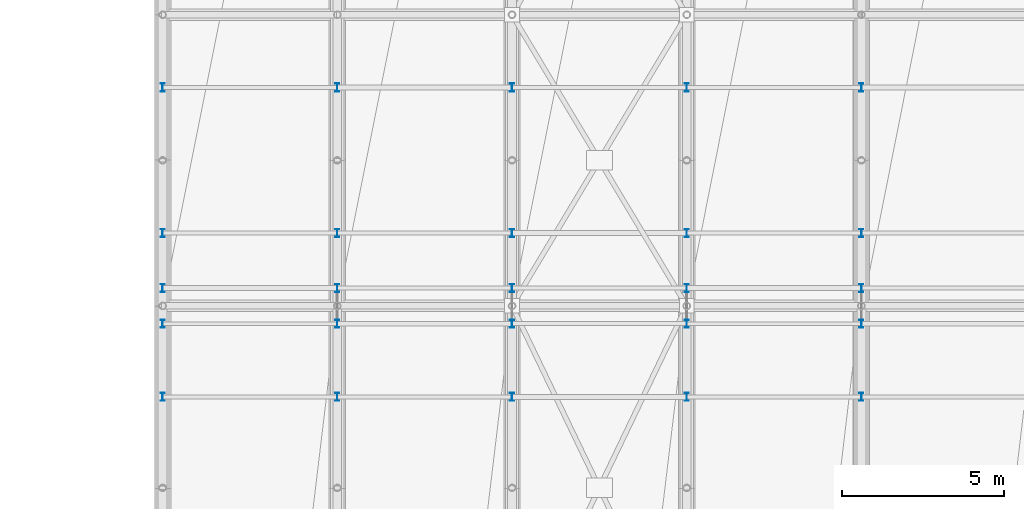
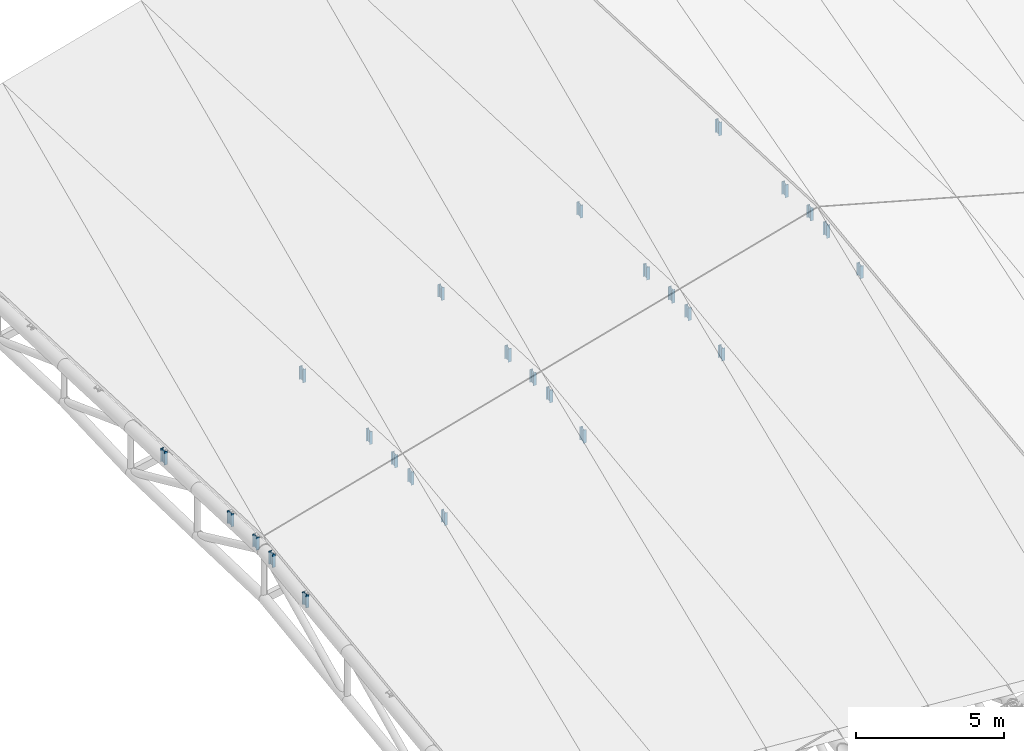
# One storey, part 64 of 109: 25 members.
"""IFC4 building model written with IfcOpenShell, lengths in metres."""

from ifc_helpers import new_model, si_unit, direction, frame, origin, origin_2d, place, context, subcontext, project, spatial, i_section, extrude, material, material_profile, profile_set, type_object, element, save


model = new_model("IFC4")

# Units and contexts
model_context = context("Model", 3, precision=1e-05, world=origin(), true_north=direction((0.0, 1.0)))
body_context = subcontext(model_context, "Body", "Model", "MODEL_VIEW")
ifc_project = project(units=[si_unit("LENGTHUNIT", "METRE"), si_unit("AREAUNIT", "SQUARE_METRE"), si_unit("VOLUMEUNIT", "CUBIC_METRE"), si_unit("PLANEANGLEUNIT", "RADIAN"), si_unit("MASSUNIT", "GRAM", prefix="KILO")], contexts=[model_context])

# Site, building, storey
site_placement = place(None, origin())
site = spatial("IfcSite", under=ifc_project, at=site_placement, CompositionType="ELEMENT")
building_placement = place(site_placement, origin())
building = spatial("IfcBuilding", under=site, at=building_placement, Name="Suirenkawa Promenade Aquatics Centre", CompositionType="ELEMENT")
storey_placement = place(building_placement, frame((0.0, 0.0, 22.800048828125)))
storey = spatial("IfcBuildingStorey", under=building, at=storey_placement, Name="ROOF", CompositionType="ELEMENT", Elevation=22.800048828125)

# Members
ifc_material = material(Name="Steel IS 2062 E350 (Grade 350)", Category="steel")
ifc_material_profile = material_profile(ifc_material, i_section(OverallWidth=0.125, OverallDepth=0.25, WebThickness=0.007080078125, FlangeThickness=0.012939453125, at=origin_2d()), Name="ISMB 250", Category="steel")
ifc_profile_set = profile_set([ifc_material_profile], Name="Steel IS 2062 E350 (Grade 350)")
member_type = type_object("IfcMemberType", Name="MT-WEB-CHS168", PredefinedType="BRACE", material=ifc_profile_set)
for number, where, z_axis, x_axis, name in (
    (1, (46.800048828125, 92.587890625, -9.781982421875), (0.0, 0.0, 1.0), (1.0, 0.0, 0.0), "ROOF TRUSS Purlin cleat post TD-03 MB-1694"),
    (2, (52.199951171875, 92.587890625, -8.281982421875), (0.0, 0.0, 1.0), (1.0, 0.0, 0.0), "ROOF TRUSS Purlin cleat post TD-03 MB-1695"),
):
    element("IfcMember", number, at=place(storey_placement, frame(where, z_axis=z_axis, x_axis=x_axis)), inside=storey, type_object=member_type, Name=name, PredefinedType="BRACE", context=body_context, shape_type="SweptSolid", body=[
        extrude(i_section(OverallWidth=0.125, OverallDepth=0.25, WebThickness=0.007080078125, FlangeThickness=0.012939453125, at=origin_2d()), origin(), (0.0, 0.0, 1.0), 0.52099609375),
    ])
for number, where, z_axis, x_axis, name in (
    (3, (46.800048828125, 94.85009765625, -9.490966796875), (0.0, 0.0, 1.0), (1.0, 0.0, 0.0), "ROOF TRUSS Purlin cleat post TD-03 MB-1697"),
    (4, (52.199951171875, 94.85009765625, -7.990966796875), (0.0, 0.0, 1.0), (1.0, 0.0, 0.0), "ROOF TRUSS Purlin cleat post TD-03 MB-1698"),
):
    element("IfcMember", number, at=place(storey_placement, frame(where, z_axis=z_axis, x_axis=x_axis)), inside=storey, type_object=member_type, Name=name, PredefinedType="BRACE", context=body_context, shape_type="SweptSolid", body=[
        extrude(i_section(OverallWidth=0.125, OverallDepth=0.25, WebThickness=0.007080078125, FlangeThickness=0.012939453125, at=origin_2d()), origin(), (0.0, 0.0, 1.0), 0.5458984375),
    ])
for number, where, z_axis, x_axis, name in (
    (5, (46.800048828125, 95.949951171875, -9.442138671875), (0.0, 0.0, 1.0), (1.0, 0.0, 0.0), "ROOF TRUSS Purlin cleat post TD-03 MB-1700"),
    (6, (52.199951171875, 95.949951171875, -7.942138671875), (0.0, 0.0, 1.0), (1.0, 0.0, 0.0), "ROOF TRUSS Purlin cleat post TD-03 MB-1701"),
):
    element("IfcMember", number, at=place(storey_placement, frame(where, z_axis=z_axis, x_axis=x_axis)), inside=storey, type_object=member_type, Name=name, PredefinedType="BRACE", context=body_context, shape_type="SweptSolid", body=[
        extrude(i_section(OverallWidth=0.125, OverallDepth=0.25, WebThickness=0.007080078125, FlangeThickness=0.012939453125, at=origin_2d()), origin(), (0.0, 0.0, 1.0), 0.527099609375),
    ])
for number, where, z_axis, x_axis, name in (
    (7, (46.800048828125, 97.64990234375, -9.511962890625), (0.0, 0.0, 1.0), (1.0, 0.0, 0.0), "ROOF TRUSS Purlin cleat post TD-03 MB-1703"),
    (8, (52.199951171875, 97.64990234375, -8.011962890625), (0.0, 0.0, 1.0), (1.0, 0.0, 0.0), "ROOF TRUSS Purlin cleat post TD-03 MB-1704"),
):
    element("IfcMember", number, at=place(storey_placement, frame(where, z_axis=z_axis, x_axis=x_axis)), inside=storey, type_object=member_type, Name=name, PredefinedType="BRACE", context=body_context, shape_type="SweptSolid", body=[
        extrude(i_section(OverallWidth=0.125, OverallDepth=0.25, WebThickness=0.007080078125, FlangeThickness=0.012939453125, at=origin_2d()), origin(), (0.0, 0.0, 1.0), 0.52880859375),
    ])
for number, where, z_axis, x_axis, name in (
    (9, (46.800048828125, 102.14990234375, -9.695068359375), (0.0, 0.0, 1.0), (1.0, 0.0, 0.0), "ROOF TRUSS Purlin cleat post TD-03 MB-1706"),
    (10, (52.199951171875, 102.14990234375, -8.195068359375), (0.0, 0.0, 1.0), (1.0, 0.0, 0.0), "ROOF TRUSS Purlin cleat post TD-03 MB-1707"),
):
    element("IfcMember", number, at=place(storey_placement, frame(where, z_axis=z_axis, x_axis=x_axis)), inside=storey, type_object=member_type, Name=name, PredefinedType="BRACE", context=body_context, shape_type="SweptSolid", body=[
        extrude(i_section(OverallWidth=0.125, OverallDepth=0.25, WebThickness=0.007080078125, FlangeThickness=0.012939453125, at=origin_2d()), origin(), (0.0, 0.0, 1.0), 0.552978515625),
    ])
member_1_placement = place(storey_placement, frame((57.60009765625, 92.587890625, -6.781982421875), z_axis=(0.0, 0.0, 1.0), x_axis=(1.0, 0.0, 0.0)))
element("IfcMember", 11, at=member_1_placement, inside=storey, type_object=member_type, Name="ROOF TRUSS Purlin cleat post TD-03 MB-1740", PredefinedType="BRACE", context=body_context, shape_type="SweptSolid", body=[
    extrude(i_section(OverallWidth=0.125, OverallDepth=0.25, WebThickness=0.007080078125, FlangeThickness=0.012939453125, at=origin_2d()), origin(), (0.0, 0.0, 1.0), 0.5458984375),
])
member_2_placement = place(storey_placement, frame((57.60009765625, 94.85009765625, -6.490966796875), z_axis=(0.0, 0.0, 1.0), x_axis=(1.0, 0.0, 0.0)))
element("IfcMember", 12, at=member_2_placement, inside=storey, type_object=member_type, Name="ROOF TRUSS Purlin cleat post TD-03 MB-1742", PredefinedType="BRACE", context=body_context, shape_type="SweptSolid", body=[
    extrude(i_section(OverallWidth=0.125, OverallDepth=0.25, WebThickness=0.007080078125, FlangeThickness=0.012939453125, at=origin_2d()), origin(), (0.0, 0.0, 1.0), 0.518798828125),
])
member_3_placement = place(storey_placement, frame((57.60009765625, 95.949951171875, -6.442138671875), z_axis=(0.0, 0.0, 1.0), x_axis=(1.0, 0.0, 0.0)))
element("IfcMember", 13, at=member_3_placement, inside=storey, type_object=member_type, Name="ROOF TRUSS Purlin cleat post TD-03 MB-1744", PredefinedType="BRACE", context=body_context, shape_type="SweptSolid", body=[
    extrude(i_section(OverallWidth=0.125, OverallDepth=0.25, WebThickness=0.007080078125, FlangeThickness=0.012939453125, at=origin_2d()), origin(), (0.0, 0.0, 1.0), 0.528076171875),
])
member_4_placement = place(storey_placement, frame((57.60009765625, 97.64990234375, -6.511962890625), z_axis=(0.0, 0.0, 1.0), x_axis=(1.0, 0.0, 0.0)))
element("IfcMember", 14, at=member_4_placement, inside=storey, type_object=member_type, Name="ROOF TRUSS Purlin cleat post TD-03 MB-1746", PredefinedType="BRACE", context=body_context, shape_type="SweptSolid", body=[
    extrude(i_section(OverallWidth=0.125, OverallDepth=0.25, WebThickness=0.007080078125, FlangeThickness=0.012939453125, at=origin_2d()), origin(), (0.0, 0.0, 1.0), 0.553955078125),
])
member_5_placement = place(storey_placement, frame((57.60009765625, 102.14990234375, -6.695068359375), z_axis=(0.0, 0.0, 1.0), x_axis=(1.0, 0.0, 0.0)))
element("IfcMember", 15, at=member_5_placement, inside=storey, type_object=member_type, Name="ROOF TRUSS Purlin cleat post TD-03 MB-1748", PredefinedType="BRACE", context=body_context, shape_type="SweptSolid", body=[
    extrude(i_section(OverallWidth=0.125, OverallDepth=0.25, WebThickness=0.007080078125, FlangeThickness=0.012939453125, at=origin_2d()), origin(), (0.0, 0.0, 1.0), 0.528076171875),
])
member_6_placement = place(storey_placement, frame((63.0, 92.587890625, -5.281982421875), z_axis=(0.0, 0.0, 1.0), x_axis=(1.0, 0.0, 0.0)))
element("IfcMember", 16, at=member_6_placement, inside=storey, type_object=member_type, Name="ROOF TRUSS Purlin cleat post TD-03 MB-1776", PredefinedType="BRACE", context=body_context, shape_type="SweptSolid", body=[
    extrude(i_section(OverallWidth=0.125, OverallDepth=0.25, WebThickness=0.007080078125, FlangeThickness=0.012939453125, at=origin_2d()), origin(), (0.0, 0.0, 1.0), 0.51904296875),
])
member_7_placement = place(storey_placement, frame((63.0, 94.85009765625, -4.990966796875), z_axis=(0.0, 0.0, 1.0), x_axis=(1.0, 0.0, 0.0)))
element("IfcMember", 17, at=member_7_placement, inside=storey, type_object=member_type, Name="ROOF TRUSS Purlin cleat post TD-03 MB-1778", PredefinedType="BRACE", context=body_context, shape_type="SweptSolid", body=[
    extrude(i_section(OverallWidth=0.125, OverallDepth=0.25, WebThickness=0.007080078125, FlangeThickness=0.012939453125, at=origin_2d()), origin(), (0.0, 0.0, 1.0), 0.52099609375),
])
member_8_placement = place(storey_placement, frame((63.0, 95.949951171875, -4.942138671875), z_axis=(0.0, 0.0, 1.0), x_axis=(1.0, 0.0, 0.0)))
element("IfcMember", 18, at=member_8_placement, inside=storey, type_object=member_type, Name="ROOF TRUSS Purlin cleat post TD-03 MB-1780", PredefinedType="BRACE", context=body_context, shape_type="SweptSolid", body=[
    extrude(i_section(OverallWidth=0.125, OverallDepth=0.25, WebThickness=0.007080078125, FlangeThickness=0.012939453125, at=origin_2d()), origin(), (0.0, 0.0, 1.0), 0.552978515625),
])
member_9_placement = place(storey_placement, frame((63.0, 97.64990234375, -5.011962890625), z_axis=(0.0, 0.0, 1.0), x_axis=(1.0, 0.0, 0.0)))
element("IfcMember", 19, at=member_9_placement, inside=storey, type_object=member_type, Name="ROOF TRUSS Purlin cleat post TD-03 MB-1782", PredefinedType="BRACE", context=body_context, shape_type="SweptSolid", body=[
    extrude(i_section(OverallWidth=0.125, OverallDepth=0.25, WebThickness=0.007080078125, FlangeThickness=0.012939453125, at=origin_2d()), origin(), (0.0, 0.0, 1.0), 0.52783203125),
])
member_10_placement = place(storey_placement, frame((63.0, 102.14990234375, -5.195068359375), z_axis=(0.0, 0.0, 1.0), x_axis=(1.0, 0.0, 0.0)))
element("IfcMember", 20, at=member_10_placement, inside=storey, type_object=member_type, Name="ROOF TRUSS Purlin cleat post TD-03 MB-1784", PredefinedType="BRACE", context=body_context, shape_type="SweptSolid", body=[
    extrude(i_section(OverallWidth=0.125, OverallDepth=0.25, WebThickness=0.007080078125, FlangeThickness=0.012939453125, at=origin_2d()), origin(), (0.0, 0.0, 1.0), 0.528076171875),
])
member_11_placement = place(storey_placement, frame((68.39990234375, 92.587890625, -3.781982421875), z_axis=(0.0, 0.0, 1.0), x_axis=(1.0, 0.0, 0.0)))
element("IfcMember", 21, at=member_11_placement, inside=storey, type_object=member_type, Name="ROOF TRUSS Purlin cleat post TD-03 MB-1812", PredefinedType="BRACE", context=body_context, shape_type="SweptSolid", body=[
    extrude(i_section(OverallWidth=0.125, OverallDepth=0.25, WebThickness=0.007080078125, FlangeThickness=0.012939453125, at=origin_2d()), origin(), (0.0, 0.0, 1.0), 0.52001953125),
])
member_12_placement = place(storey_placement, frame((68.39990234375, 94.85009765625, -3.490966796875), z_axis=(0.0, 0.0, 1.0), x_axis=(1.0, 0.0, 0.0)))
element("IfcMember", 22, at=member_12_placement, inside=storey, type_object=member_type, Name="ROOF TRUSS Purlin cleat post TD-03 MB-1814", PredefinedType="BRACE", context=body_context, shape_type="SweptSolid", body=[
    extrude(i_section(OverallWidth=0.125, OverallDepth=0.25, WebThickness=0.007080078125, FlangeThickness=0.012939453125, at=origin_2d()), origin(), (0.0, 0.0, 1.0), 0.5458984375),
])
member_13_placement = place(storey_placement, frame((68.39990234375, 95.949951171875, -3.442138671875), z_axis=(0.0, 0.0, 1.0), x_axis=(1.0, 0.0, 0.0)))
element("IfcMember", 23, at=member_13_placement, inside=storey, type_object=member_type, Name="ROOF TRUSS Purlin cleat post TD-03 MB-1816", PredefinedType="BRACE", context=body_context, shape_type="SweptSolid", body=[
    extrude(i_section(OverallWidth=0.125, OverallDepth=0.25, WebThickness=0.007080078125, FlangeThickness=0.012939453125, at=origin_2d()), origin(), (0.0, 0.0, 1.0), 0.527099609375),
])
member_14_placement = place(storey_placement, frame((68.39990234375, 97.64990234375, -3.511962890625), z_axis=(0.0, 0.0, 1.0), x_axis=(1.0, 0.0, 0.0)))
element("IfcMember", 24, at=member_14_placement, inside=storey, type_object=member_type, Name="ROOF TRUSS Purlin cleat post TD-03 MB-1818", PredefinedType="BRACE", context=body_context, shape_type="SweptSolid", body=[
    extrude(i_section(OverallWidth=0.125, OverallDepth=0.25, WebThickness=0.007080078125, FlangeThickness=0.012939453125, at=origin_2d()), origin(), (0.0, 0.0, 1.0), 0.52880859375),
])
member_15_placement = place(storey_placement, frame((68.39990234375, 102.14990234375, -3.695068359375), z_axis=(0.0, 0.0, 1.0), x_axis=(1.0, 0.0, 0.0)))
element("IfcMember", 25, at=member_15_placement, inside=storey, type_object=member_type, Name="ROOF TRUSS Purlin cleat post TD-03 MB-1820", PredefinedType="BRACE", context=body_context, shape_type="SweptSolid", body=[
    extrude(i_section(OverallWidth=0.125, OverallDepth=0.25, WebThickness=0.007080078125, FlangeThickness=0.012939453125, at=origin_2d()), origin(), (0.0, 0.0, 1.0), 0.552978515625),
])

save(model, "model.ifc")
